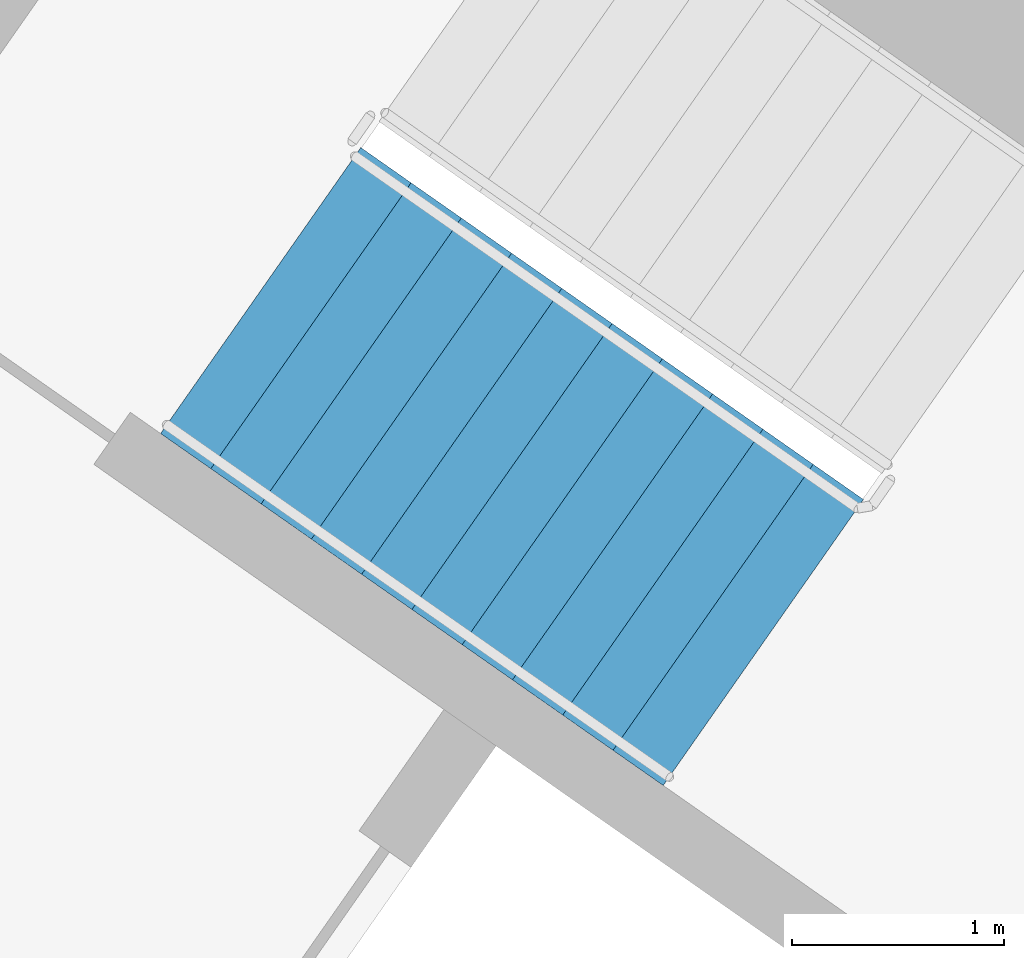
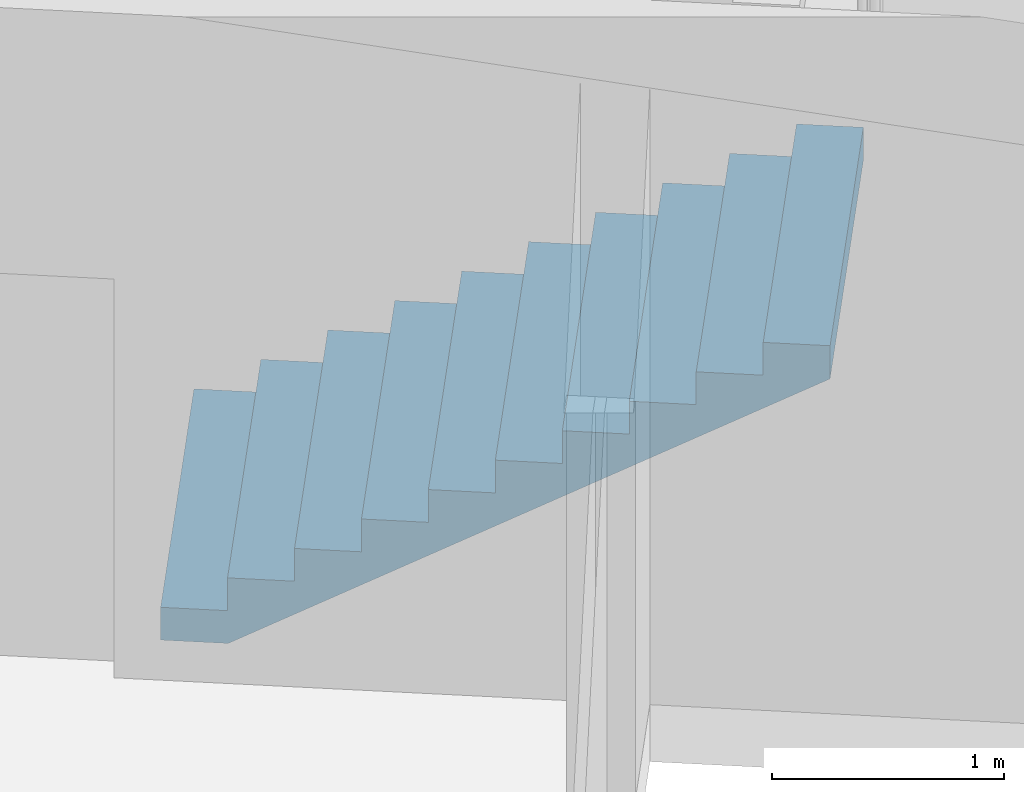
# One storey, part 12 of 31: 1 stair flight, 1 element without a shape of its own.
"""IFC4 building model written with IfcOpenShell, lengths in metres."""

import ifcopenshell
import ifcopenshell.guid

model = None  # the IFC model being written
_history = None  # IfcOwnerHistory: only IFC2X3 demands one
_inside = {}  # id of a spatial element -> (the spatial element, [elements in it])
_under = {}  # id of a project, library or spatial element -> (it, [spatial elements below it])
_declared = {}  # id of a project -> (the project, [libraries it declares])
_typed = {}  # id of a type object -> (the type object, [elements of that type])
_made_of = {}  # id of a material, layer set ... -> (it, [elements and type objects made of it])


def new_model(schema):
    """Start an empty IFC model of exactly this schema.

    Asked for "IFC4X3", IfcOpenShell would pick the latest addendum, in which some entities
    have other attributes; the version numbers below select the first issue.
    IFC2X3 requires an IfcOwnerHistory on every rooted entity: one is made here for all.
    """
    global model, _history
    if schema == "IFC4X3":
        model = ifcopenshell.file(schema_version=(4, 3, 0, 0))
    else:
        model = ifcopenshell.file(schema=schema)
    _inside.clear()
    _under.clear()
    _declared.clear()
    _typed.clear()
    _made_of.clear()
    _history = None
    if model.schema == "IFC2X3":
        org = make("IfcOrganization", Name="unknown")
        user = make(
            "IfcPersonAndOrganization",
            ThePerson=make("IfcPerson", FamilyName="unknown"),
            TheOrganization=org,
        )
        app = make(
            "IfcApplication",
            ApplicationDeveloper=org,
            Version="unknown",
            ApplicationFullName="unknown",
            ApplicationIdentifier="unknown",
        )
        _history = make(
            "IfcOwnerHistory",
            OwningUser=user,
            OwningApplication=app,
            ChangeAction="ADDED",
            CreationDate=0,
        )
    return model


def make(cls, **values):
    """One entity of the class cls with the attributes given. An attribute that is None is left unset."""
    return model.create_entity(
        cls, **{name: value for name, value in values.items() if value is not None}
    )


def rooted(cls, **values):
    """An entity with a GlobalId (a new one), such as an element, a storey or a relation."""
    return make(cls, GlobalId=ifcopenshell.guid.new(), OwnerHistory=_history, **values)


def si_unit(unit_type, name, prefix=None):
    """IfcSIUnit, for example si_unit("LENGTHUNIT", "METRE", prefix="MILLI")."""
    return make("IfcSIUnit", UnitType=unit_type, Prefix=prefix, Name=name)


def assignment(units):
    """IfcUnitAssignment: the units of a project."""
    return None if units is None else make("IfcUnitAssignment", Units=units)


def point(xyz):
    """IfcCartesianPoint."""
    return None if xyz is None else make("IfcCartesianPoint", Coordinates=xyz)


def direction(xyz):
    """IfcDirection."""
    return None if xyz is None else make("IfcDirection", DirectionRatios=xyz)


def frame(location, z_axis=None, x_axis=None):
    """IfcAxis2Placement3D, a coordinate frame: its origin and axes. An axis left out is left unset."""
    return make(
        "IfcAxis2Placement3D",
        Location=point(location),
        Axis=direction(z_axis),
        RefDirection=direction(x_axis),
    )


def origin():
    """The frame at (0, 0, 0) with its axes left unset."""
    return frame((0.0, 0.0, 0.0))


def place(relative_to, where):
    """IfcLocalPlacement: puts the frame where relative to a parent placement (None: the world)."""
    return make(
        "IfcLocalPlacement", PlacementRelTo=relative_to, RelativePlacement=where
    )


def context(
    kind, dimensions, precision=None, world=None, true_north=None, identifier=None
):
    """IfcGeometricRepresentationContext, for example the 3D "Model" context."""
    return make(
        "IfcGeometricRepresentationContext",
        ContextIdentifier=identifier,
        ContextType=kind,
        CoordinateSpaceDimension=dimensions,
        Precision=precision,
        WorldCoordinateSystem=world,
        TrueNorth=true_north,
    )


def subcontext(parent, identifier, kind, view, scale=None):
    """IfcGeometricRepresentationSubContext, for example "Body" below "Model"."""
    return make(
        "IfcGeometricRepresentationSubContext",
        ContextIdentifier=identifier,
        ContextType=kind,
        ParentContext=parent,
        TargetScale=scale,
        TargetView=view,
    )


def project(units=None, contexts=None):
    """IfcProject with its units and contexts."""
    return rooted(
        "IfcProject",
        Name="project",
        RepresentationContexts=contexts,
        UnitsInContext=assignment(units),
    )


def spatial(cls, under=None, at=None, **own):
    """A site, building, storey or space (cls), placed at a placement, below another one or the project."""
    s = rooted(cls, ObjectPlacement=at, **own)
    if under is not None:
        _under.setdefault(under.id(), (under, []))[1].append(s)
    return s


def faces_of(points, faces, orient=None, outer=None):
    """IfcFace entities. A face is a list of loops; a loop is a list of indices into points, from 0.

    orient and outer hold one flag for each loop. By default every Orientation is true, the
    first loop of a face is its IfcFaceOuterBound and the others are IfcFaceBound.
    """
    made = []
    for i, loops in enumerate(faces):
        bounds = []
        for j, loop in enumerate(loops):
            is_outer = j == 0 if outer is None else outer[i][j]
            bounds.append(
                make(
                    "IfcFaceOuterBound" if is_outer else "IfcFaceBound",
                    Bound=make("IfcPolyLoop", Polygon=[points[k] for k in loop]),
                    Orientation=True if orient is None else orient[i][j],
                )
            )
        made.append(make("IfcFace", Bounds=bounds))
    return made


def faceted_brep(points, faces, orient=None, outer=None, voids=None):
    """IfcFacetedBrep: a solid bounded by flat faces; with voids (closed shells), ...WithVoids."""
    shared = [point(p) for p in points]
    hull = make("IfcClosedShell", CfsFaces=faces_of(shared, faces, orient, outer))
    if voids is None:
        return make("IfcFacetedBrep", Outer=hull)
    return make(
        "IfcFacetedBrepWithVoids",
        Outer=hull,
        Voids=[
            make(cls, CfsFaces=faces_of(shared, fs, o, b)) for cls, fs, o, b in voids
        ],
    )


def shape(context_of_items, identifier, shape_type, items):
    """IfcShapeRepresentation: the items that make up one representation, for example the "Body"."""
    return make(
        "IfcShapeRepresentation",
        ContextOfItems=context_of_items,
        RepresentationIdentifier=identifier,
        RepresentationType=shape_type,
        Items=items,
    )


def material(Name=None, Category=None):
    """IfcMaterial."""
    return make("IfcMaterial", Name=Name, Category=Category)


def made_of(thing, what):
    """Note that an element or type object is made of a material, layer set ...; save() writes the relation."""
    if what is not None:
        _made_of.setdefault(what.id(), (what, []))[1].append(thing)
    return thing


def type_object(cls, material=None, **own):
    """A type object (cls), such as IfcWallType, which elements share."""
    return made_of(rooted(cls, **own), material)


def element(
    cls,
    number,
    at=None,
    inside=None,
    cuts=None,
    type_object=None,
    material=None,
    context=None,
    identifier="Body",
    shape_type=None,
    held_by="IfcProductDefinitionShape",
    body=None,
    shapes=None,
    **own,
):
    """One element of the class cls, such as IfcWall. Its Tag is "e" and its number.

    at: its placement. inside: the storey or other place that contains it. cuts: it is an
    opening in that element (IfcRelVoidsElement). A single representation is given by context,
    identifier, shape_type and body (its items); several are given by shapes. held_by: the class
    of the entity that holds the representations. save() writes the other relations.
    """
    e = rooted(cls, Tag="e%d" % number, ObjectPlacement=at, **own)
    if body is not None:
        shapes = [shape(context, identifier, shape_type, body)]
    if shapes is not None:
        e.Representation = make(held_by, Representations=shapes)
    if inside is not None:
        _inside.setdefault(inside.id(), (inside, []))[1].append(e)
    if cuts is not None:
        rooted(
            "IfcRelVoidsElement", RelatingBuildingElement=cuts, RelatedOpeningElement=e
        )
    if type_object is not None:
        _typed.setdefault(type_object.id(), (type_object, []))[1].append(e)
    return made_of(e, material)


def aggregate(whole, parts):
    """IfcRelAggregates: a whole, such as a stair, and the parts it consists of."""
    return rooted("IfcRelAggregates", RelatingObject=whole, RelatedObjects=parts)


def save(model, path):
    """Write the relations noted so far, then the file.

    IfcRelAggregates (storeys below a building ...), IfcRelContainedInSpatialStructure (elements
    in a storey), IfcRelDefinesByType, IfcRelAssociatesMaterial and IfcRelDeclares: one each for
    every whole, place, type object, material and project.
    """
    for whole, parts in _under.values():
        aggregate(whole, parts)
    for where, things in _inside.values():
        rooted(
            "IfcRelContainedInSpatialStructure",
            RelatedElements=things,
            RelatingStructure=where,
        )
    for kind, things in _typed.values():
        rooted("IfcRelDefinesByType", RelatedObjects=things, RelatingType=kind)
    for what, things in _made_of.values():
        rooted("IfcRelAssociatesMaterial", RelatedObjects=things, RelatingMaterial=what)
    for by, libraries in _declared.values():
        rooted("IfcRelDeclares", RelatingContext=by, RelatedDefinitions=libraries)
    model.write(path)


model = new_model("IFC4")

# Units and contexts
model_context = context("Model", 3, precision=1e-05, world=origin(), true_north=direction((0.0, 1.0)))
body_context = subcontext(model_context, "Body", "Model", "MODEL_VIEW")
ifc_project = project(units=[si_unit("LENGTHUNIT", "METRE"), si_unit("AREAUNIT", "SQUARE_METRE"), si_unit("VOLUMEUNIT", "CUBIC_METRE"), si_unit("PLANEANGLEUNIT", "RADIAN"), si_unit("MASSUNIT", "GRAM", prefix="KILO")], contexts=[model_context])

# Site, building, storey
site_placement = place(None, origin())
site = spatial("IfcSite", under=ifc_project, at=site_placement, CompositionType="ELEMENT")
building_placement = place(site_placement, origin())
building = spatial("IfcBuilding", under=site, at=building_placement, Name="Qamariyya Broadcast Tower", CompositionType="ELEMENT")
storey_placement = place(building_placement, frame((0.0, 0.0, 48.10009765625)))
storey = spatial("IfcBuildingStorey", under=building, at=storey_placement, Name="L08", CompositionType="ELEMENT", Elevation=48.10009765625)

# Stair, stair flight
ifc_material = material(Name="Concrete C50/60", Category="concrete")
stair_type = type_object("IfcStairType", Name="Exit stair 22 risers of 173 mm", PredefinedType="HALF_TURN_STAIR", material=ifc_material)
stair_placement = place(storey_placement, origin())
stair = element("IfcStair", 1, at=stair_placement, inside=storey, type_object=stair_type, Name="L08 Stair W2", PredefinedType="HALF_TURN_STAIR")
stair_flight_type = type_object("IfcStairFlightType", Name="Exit stair flight 11 risers of 173 mm", PredefinedType="STRAIGHT", material=ifc_material)
stair_flight_placement = place(storey_placement, frame((-41.59130859375, -49.15966796875, 0.0), z_axis=(0.0, 0.0, 1.0), x_axis=(0.819152044289, -0.573576436351, 0.0)))
stair_flight = element("IfcStairFlight", 2, at=stair_flight_placement, type_object=stair_flight_type, Name="ST-W2 flight 1", NumberOfRisers=11, NumberOfTreads=10, PredefinedType="STRAIGHT", RiserHeight=0.172727273, TreadLength=0.29, context=body_context, shape_type="Brep", body=[
    faceted_brep([(0.0, 0.824951171875, 0.0), (0.0, 0.824951171875, 0.172607421875), (0.2900390625, 0.824951171875, 0.172607421875), (0.2900390625, 0.824951171875, 0.345458984375), (0.580078125, 0.824951171875, 0.345458984375), (0.580078125, 0.824951171875, 0.51806640625), (0.8701171875, 0.824951171875, 0.51806640625), (0.8701171875, 0.824951171875, 0.69091796875), (1.159912109375, 0.824951171875, 0.69091796875), (1.159912109375, 0.824951171875, 0.863525390625), (1.449951171875, 0.824951171875, 0.863525390625), (1.449951171875, 0.824951171875, 1.036376953125), (1.739990234375, 0.824951171875, 1.036376953125), (1.739990234375, 0.824951171875, 1.208984375), (2.030029296875, 0.824951171875, 1.208984375), (2.030029296875, 0.824951171875, 1.3818359375), (2.320068359375, 0.824951171875, 1.3818359375), (2.320068359375, 0.824951171875, 1.554443359375), (2.610107421875, 0.824951171875, 1.554443359375), (2.610107421875, 0.824951171875, 1.727294921875), (2.89990234375, 0.824951171875, 1.727294921875), (2.89990234375, 0.824951171875, 1.552734375), (0.29296875, 0.824951171875, 0.0), (0.29296875, -0.824951171875, 0.0), (2.89990234375, -0.824951171875, 1.552734375), (2.89990234375, -0.824951171875, 1.727294921875), (2.610107421875, -0.824951171875, 1.727294921875), (2.610107421875, -0.824951171875, 1.554443359375), (2.320068359375, -0.824951171875, 1.554443359375), (2.320068359375, -0.824951171875, 1.3818359375), (2.030029296875, -0.824951171875, 1.3818359375), (2.030029296875, -0.824951171875, 1.208984375), (1.739990234375, -0.824951171875, 1.208984375), (1.739990234375, -0.824951171875, 1.036376953125), (1.449951171875, -0.824951171875, 1.036376953125), (1.449951171875, -0.824951171875, 0.863525390625), (1.159912109375, -0.824951171875, 0.863525390625), (1.159912109375, -0.824951171875, 0.69091796875), (0.8701171875, -0.824951171875, 0.69091796875), (0.8701171875, -0.824951171875, 0.51806640625), (0.580078125, -0.824951171875, 0.51806640625), (0.580078125, -0.824951171875, 0.345458984375), (0.2900390625, -0.824951171875, 0.345458984375), (0.2900390625, -0.824951171875, 0.172607421875), (0.0, -0.824951171875, 0.172607421875), (0.0, -0.824951171875, 0.0), (0.0, 0.10009765625, 0.0), (0.0, 0.086669921875, 0.0), (0.0, 0.0732421875, 0.0), (0.0, 0.06005859375, 0.0), (0.0, 0.046630859375, 0.0), (0.0, 0.033447265625, 0.0), (0.0, 0.02001953125, 0.0), (0.0, 0.006591796875, 0.0), (0.0, -0.006591796875, 0.0), (0.0, -0.02001953125, 0.0), (0.0, -0.033447265625, 0.0), (0.0, -0.046630859375, 0.0), (0.0, -0.06005859375, 0.0), (0.0, -0.0732421875, 0.0), (0.0, -0.086669921875, 0.0), (0.0, -0.10009765625, 0.0), (0.0, -0.10009765625, 0.172607421875), (0.0, -0.086669921875, 0.172607421875), (0.0, -0.0732421875, 0.172607421875), (0.0, -0.06005859375, 0.172607421875), (0.0, -0.046630859375, 0.172607421875), (0.0, -0.033447265625, 0.172607421875), (0.0, -0.02001953125, 0.172607421875), (0.0, -0.006591796875, 0.172607421875), (0.0, 0.006591796875, 0.172607421875), (0.0, 0.02001953125, 0.172607421875), (0.0, 0.033447265625, 0.172607421875), (0.0, 0.046630859375, 0.172607421875), (0.0, 0.06005859375, 0.172607421875), (0.0, 0.0732421875, 0.172607421875), (0.0, 0.086669921875, 0.172607421875), (0.0, 0.10009765625, 0.172607421875), (0.2900390625, -0.10009765625, 0.172607421875), (0.2900390625, -0.086669921875, 0.172607421875), (0.2900390625, -0.0732421875, 0.172607421875), (0.2900390625, -0.06005859375, 0.172607421875), (0.2900390625, -0.046630859375, 0.172607421875), (0.2900390625, -0.033447265625, 0.172607421875), (0.2900390625, -0.02001953125, 0.172607421875), (0.2900390625, -0.006591796875, 0.172607421875), (0.2900390625, 0.006591796875, 0.172607421875), (0.2900390625, 0.02001953125, 0.172607421875), (0.2900390625, 0.033447265625, 0.172607421875), (0.2900390625, 0.046630859375, 0.172607421875), (0.2900390625, 0.06005859375, 0.172607421875), (0.2900390625, 0.0732421875, 0.172607421875), (0.2900390625, 0.086669921875, 0.172607421875), (0.2900390625, 0.10009765625, 0.172607421875), (0.2900390625, -0.10009765625, 0.345458984375), (0.2900390625, -0.086669921875, 0.345458984375), (0.2900390625, -0.0732421875, 0.345458984375), (0.2900390625, -0.06005859375, 0.345458984375), (0.2900390625, -0.046630859375, 0.345458984375), (0.2900390625, -0.033447265625, 0.345458984375), (0.2900390625, -0.02001953125, 0.345458984375), (0.2900390625, -0.006591796875, 0.345458984375), (0.2900390625, 0.006591796875, 0.345458984375), (0.2900390625, 0.02001953125, 0.345458984375), (0.2900390625, 0.033447265625, 0.345458984375), (0.2900390625, 0.046630859375, 0.345458984375), (0.2900390625, 0.06005859375, 0.345458984375), (0.2900390625, 0.0732421875, 0.345458984375), (0.2900390625, 0.086669921875, 0.345458984375), (0.2900390625, 0.10009765625, 0.345458984375), (0.580078125, -0.10009765625, 0.345458984375), (0.580078125, -0.086669921875, 0.345458984375), (0.580078125, -0.0732421875, 0.345458984375), (0.580078125, -0.06005859375, 0.345458984375), (0.580078125, -0.046630859375, 0.345458984375), (0.580078125, -0.033447265625, 0.345458984375), (0.580078125, -0.02001953125, 0.345458984375), (0.580078125, -0.006591796875, 0.345458984375), (0.580078125, 0.006591796875, 0.345458984375), (0.580078125, 0.02001953125, 0.345458984375), (0.580078125, 0.033447265625, 0.345458984375), (0.580078125, 0.046630859375, 0.345458984375), (0.580078125, 0.06005859375, 0.345458984375), (0.580078125, 0.0732421875, 0.345458984375), (0.580078125, 0.086669921875, 0.345458984375), (0.580078125, 0.10009765625, 0.345458984375), (0.580078125, -0.10009765625, 0.51806640625), (0.580078125, -0.086669921875, 0.51806640625), (0.580078125, -0.0732421875, 0.51806640625), (0.580078125, -0.06005859375, 0.51806640625), (0.580078125, -0.046630859375, 0.51806640625), (0.580078125, -0.033447265625, 0.51806640625), (0.580078125, -0.02001953125, 0.51806640625), (0.580078125, -0.006591796875, 0.51806640625), (0.580078125, 0.006591796875, 0.51806640625), (0.580078125, 0.02001953125, 0.51806640625), (0.580078125, 0.033447265625, 0.51806640625), (0.580078125, 0.046630859375, 0.51806640625), (0.580078125, 0.06005859375, 0.51806640625), (0.580078125, 0.0732421875, 0.51806640625), (0.580078125, 0.086669921875, 0.51806640625), (0.580078125, 0.10009765625, 0.51806640625), (0.8701171875, -0.10009765625, 0.51806640625), (0.8701171875, -0.086669921875, 0.51806640625), (0.8701171875, -0.0732421875, 0.51806640625), (0.8701171875, -0.06005859375, 0.51806640625), (0.8701171875, -0.046630859375, 0.51806640625), (0.8701171875, -0.033447265625, 0.51806640625), (0.8701171875, -0.02001953125, 0.51806640625), (0.8701171875, -0.006591796875, 0.51806640625), (0.8701171875, 0.006591796875, 0.51806640625), (0.8701171875, 0.02001953125, 0.51806640625), (0.8701171875, 0.033447265625, 0.51806640625), (0.8701171875, 0.046630859375, 0.51806640625), (0.8701171875, 0.06005859375, 0.51806640625), (0.8701171875, 0.0732421875, 0.51806640625), (0.8701171875, 0.086669921875, 0.51806640625), (0.8701171875, 0.10009765625, 0.51806640625), (0.8701171875, -0.10009765625, 0.69091796875), (0.8701171875, -0.086669921875, 0.69091796875), (0.8701171875, -0.0732421875, 0.69091796875), (0.8701171875, -0.06005859375, 0.69091796875), (0.8701171875, -0.046630859375, 0.69091796875), (0.8701171875, -0.033447265625, 0.69091796875), (0.8701171875, -0.02001953125, 0.69091796875), (0.8701171875, -0.006591796875, 0.69091796875), (0.8701171875, 0.006591796875, 0.69091796875), (0.8701171875, 0.02001953125, 0.69091796875), (0.8701171875, 0.033447265625, 0.69091796875), (0.8701171875, 0.046630859375, 0.69091796875), (0.8701171875, 0.06005859375, 0.69091796875), (0.8701171875, 0.0732421875, 0.69091796875), (0.8701171875, 0.086669921875, 0.69091796875), (0.8701171875, 0.10009765625, 0.69091796875), (1.159912109375, -0.10009765625, 0.69091796875), (1.159912109375, -0.086669921875, 0.69091796875), (1.159912109375, -0.0732421875, 0.69091796875), (1.159912109375, -0.06005859375, 0.69091796875), (1.159912109375, -0.046630859375, 0.69091796875), (1.159912109375, -0.033447265625, 0.69091796875), (1.159912109375, -0.02001953125, 0.69091796875), (1.159912109375, -0.006591796875, 0.69091796875), (1.159912109375, 0.006591796875, 0.69091796875), (1.159912109375, 0.02001953125, 0.69091796875), (1.159912109375, 0.033447265625, 0.69091796875), (1.159912109375, 0.046630859375, 0.69091796875), (1.159912109375, 0.06005859375, 0.69091796875), (1.159912109375, 0.0732421875, 0.69091796875), (1.159912109375, 0.086669921875, 0.69091796875), (1.159912109375, 0.10009765625, 0.69091796875), (1.159912109375, -0.10009765625, 0.863525390625), (1.159912109375, -0.086669921875, 0.863525390625), (1.159912109375, -0.0732421875, 0.863525390625), (1.159912109375, -0.06005859375, 0.863525390625), (1.159912109375, -0.046630859375, 0.863525390625), (1.159912109375, -0.033447265625, 0.863525390625), (1.159912109375, -0.02001953125, 0.863525390625), (1.159912109375, -0.006591796875, 0.863525390625), (1.159912109375, 0.006591796875, 0.863525390625), (1.159912109375, 0.02001953125, 0.863525390625), (1.159912109375, 0.033447265625, 0.863525390625), (1.159912109375, 0.046630859375, 0.863525390625), (1.159912109375, 0.06005859375, 0.863525390625), (1.159912109375, 0.0732421875, 0.863525390625), (1.159912109375, 0.086669921875, 0.863525390625), (1.159912109375, 0.10009765625, 0.863525390625), (1.449951171875, -0.10009765625, 0.863525390625), (1.449951171875, -0.086669921875, 0.863525390625), (1.449951171875, -0.0732421875, 0.863525390625), (1.449951171875, -0.06005859375, 0.863525390625), (1.449951171875, -0.046630859375, 0.863525390625), (1.449951171875, -0.033447265625, 0.863525390625), (1.449951171875, -0.02001953125, 0.863525390625), (1.449951171875, -0.006591796875, 0.863525390625), (1.449951171875, 0.006591796875, 0.863525390625), (1.449951171875, 0.02001953125, 0.863525390625), (1.449951171875, 0.033447265625, 0.863525390625), (1.449951171875, 0.046630859375, 0.863525390625), (1.449951171875, 0.06005859375, 0.863525390625), (1.449951171875, 0.0732421875, 0.863525390625), (1.449951171875, 0.086669921875, 0.863525390625), (1.449951171875, 0.10009765625, 0.863525390625), (1.449951171875, -0.10009765625, 1.036376953125), (1.449951171875, -0.086669921875, 1.036376953125), (1.449951171875, -0.0732421875, 1.036376953125), (1.449951171875, -0.06005859375, 1.036376953125), (1.449951171875, -0.046630859375, 1.036376953125), (1.449951171875, -0.033447265625, 1.036376953125), (1.449951171875, -0.02001953125, 1.036376953125), (1.449951171875, -0.006591796875, 1.036376953125), (1.449951171875, 0.006591796875, 1.036376953125), (1.449951171875, 0.02001953125, 1.036376953125), (1.449951171875, 0.033447265625, 1.036376953125), (1.449951171875, 0.046630859375, 1.036376953125), (1.449951171875, 0.06005859375, 1.036376953125), (1.449951171875, 0.0732421875, 1.036376953125), (1.449951171875, 0.086669921875, 1.036376953125), (1.449951171875, 0.10009765625, 1.036376953125), (1.739990234375, -0.10009765625, 1.036376953125), (1.739990234375, -0.086669921875, 1.036376953125), (1.739990234375, -0.0732421875, 1.036376953125), (1.739990234375, -0.06005859375, 1.036376953125), (1.739990234375, -0.046630859375, 1.036376953125), (1.739990234375, -0.033447265625, 1.036376953125), (1.739990234375, -0.02001953125, 1.036376953125), (1.739990234375, -0.006591796875, 1.036376953125), (1.739990234375, 0.006591796875, 1.036376953125), (1.739990234375, 0.02001953125, 1.036376953125), (1.739990234375, 0.033447265625, 1.036376953125), (1.739990234375, 0.046630859375, 1.036376953125), (1.739990234375, 0.06005859375, 1.036376953125), (1.739990234375, 0.0732421875, 1.036376953125), (1.739990234375, 0.086669921875, 1.036376953125), (1.739990234375, 0.10009765625, 1.036376953125), (1.739990234375, -0.10009765625, 1.208984375), (1.739990234375, -0.086669921875, 1.208984375), (1.739990234375, -0.0732421875, 1.208984375), (1.739990234375, -0.06005859375, 1.208984375), (1.739990234375, -0.046630859375, 1.208984375), (1.739990234375, -0.033447265625, 1.208984375), (1.739990234375, -0.02001953125, 1.208984375), (1.739990234375, -0.006591796875, 1.208984375), (1.739990234375, 0.006591796875, 1.208984375), (1.739990234375, 0.02001953125, 1.208984375), (1.739990234375, 0.033447265625, 1.208984375), (1.739990234375, 0.046630859375, 1.208984375), (1.739990234375, 0.06005859375, 1.208984375), (1.739990234375, 0.0732421875, 1.208984375), (1.739990234375, 0.086669921875, 1.208984375), (1.739990234375, 0.10009765625, 1.208984375), (2.030029296875, -0.10009765625, 1.208984375), (2.030029296875, -0.086669921875, 1.208984375), (2.030029296875, -0.0732421875, 1.208984375), (2.030029296875, -0.06005859375, 1.208984375), (2.030029296875, -0.046630859375, 1.208984375), (2.030029296875, -0.033447265625, 1.208984375), (2.030029296875, -0.02001953125, 1.208984375), (2.030029296875, -0.006591796875, 1.208984375), (2.030029296875, 0.006591796875, 1.208984375), (2.030029296875, 0.02001953125, 1.208984375), (2.030029296875, 0.033447265625, 1.208984375), (2.030029296875, 0.046630859375, 1.208984375), (2.030029296875, 0.06005859375, 1.208984375), (2.030029296875, 0.0732421875, 1.208984375), (2.030029296875, 0.086669921875, 1.208984375), (2.030029296875, 0.10009765625, 1.208984375), (2.030029296875, -0.10009765625, 1.3818359375), (2.030029296875, -0.086669921875, 1.3818359375), (2.030029296875, -0.0732421875, 1.3818359375), (2.030029296875, -0.06005859375, 1.3818359375), (2.030029296875, -0.046630859375, 1.3818359375), (2.030029296875, -0.033447265625, 1.3818359375), (2.030029296875, -0.02001953125, 1.3818359375), (2.030029296875, -0.006591796875, 1.3818359375), (2.030029296875, 0.006591796875, 1.3818359375), (2.030029296875, 0.02001953125, 1.3818359375), (2.030029296875, 0.033447265625, 1.3818359375), (2.030029296875, 0.046630859375, 1.3818359375), (2.030029296875, 0.06005859375, 1.3818359375), (2.030029296875, 0.0732421875, 1.3818359375), (2.030029296875, 0.086669921875, 1.3818359375), (2.030029296875, 0.10009765625, 1.3818359375), (2.320068359375, -0.10009765625, 1.3818359375), (2.320068359375, -0.086669921875, 1.3818359375), (2.320068359375, -0.0732421875, 1.3818359375), (2.320068359375, -0.06005859375, 1.3818359375), (2.320068359375, -0.046630859375, 1.3818359375), (2.320068359375, -0.033447265625, 1.3818359375), (2.320068359375, -0.02001953125, 1.3818359375), (2.320068359375, -0.006591796875, 1.3818359375), (2.320068359375, 0.006591796875, 1.3818359375), (2.320068359375, 0.02001953125, 1.3818359375), (2.320068359375, 0.033447265625, 1.3818359375), (2.320068359375, 0.046630859375, 1.3818359375), (2.320068359375, 0.06005859375, 1.3818359375), (2.320068359375, 0.0732421875, 1.3818359375), (2.320068359375, 0.086669921875, 1.3818359375), (2.320068359375, 0.10009765625, 1.3818359375), (2.320068359375, -0.10009765625, 1.554443359375), (2.320068359375, -0.086669921875, 1.554443359375), (2.320068359375, -0.0732421875, 1.554443359375), (2.320068359375, -0.06005859375, 1.554443359375), (2.320068359375, -0.046630859375, 1.554443359375), (2.320068359375, -0.033447265625, 1.554443359375), (2.320068359375, -0.02001953125, 1.554443359375), (2.320068359375, -0.006591796875, 1.554443359375), (2.320068359375, 0.006591796875, 1.554443359375), (2.320068359375, 0.02001953125, 1.554443359375), (2.320068359375, 0.033447265625, 1.554443359375), (2.320068359375, 0.046630859375, 1.554443359375), (2.320068359375, 0.06005859375, 1.554443359375), (2.320068359375, 0.0732421875, 1.554443359375), (2.320068359375, 0.086669921875, 1.554443359375), (2.320068359375, 0.10009765625, 1.554443359375), (2.610107421875, -0.10009765625, 1.554443359375), (2.610107421875, -0.086669921875, 1.554443359375), (2.610107421875, -0.0732421875, 1.554443359375), (2.610107421875, -0.06005859375, 1.554443359375), (2.610107421875, -0.046630859375, 1.554443359375), (2.610107421875, -0.033447265625, 1.554443359375), (2.610107421875, -0.02001953125, 1.554443359375), (2.610107421875, -0.006591796875, 1.554443359375), (2.610107421875, 0.006591796875, 1.554443359375), (2.610107421875, 0.02001953125, 1.554443359375), (2.610107421875, 0.033447265625, 1.554443359375), (2.610107421875, 0.046630859375, 1.554443359375), (2.610107421875, 0.06005859375, 1.554443359375), (2.610107421875, 0.0732421875, 1.554443359375), (2.610107421875, 0.086669921875, 1.554443359375), (2.610107421875, 0.10009765625, 1.554443359375), (2.610107421875, -0.10009765625, 1.727294921875), (2.610107421875, -0.086669921875, 1.727294921875), (2.610107421875, -0.0732421875, 1.727294921875), (2.610107421875, -0.06005859375, 1.727294921875), (2.610107421875, -0.046630859375, 1.727294921875), (2.610107421875, -0.033447265625, 1.727294921875), (2.610107421875, -0.02001953125, 1.727294921875), (2.610107421875, -0.006591796875, 1.727294921875), (2.610107421875, 0.006591796875, 1.727294921875), (2.610107421875, 0.02001953125, 1.727294921875), (2.610107421875, 0.033447265625, 1.727294921875), (2.610107421875, 0.046630859375, 1.727294921875), (2.610107421875, 0.06005859375, 1.727294921875), (2.610107421875, 0.0732421875, 1.727294921875), (2.610107421875, 0.086669921875, 1.727294921875), (2.610107421875, 0.10009765625, 1.727294921875), (2.89990234375, -0.10009765625, 1.727294921875), (2.89990234375, -0.086669921875, 1.727294921875), (2.89990234375, -0.0732421875, 1.727294921875), (2.89990234375, -0.06005859375, 1.727294921875), (2.89990234375, -0.046630859375, 1.727294921875), (2.89990234375, -0.033447265625, 1.727294921875), (2.89990234375, -0.02001953125, 1.727294921875), (2.89990234375, -0.006591796875, 1.727294921875), (2.89990234375, 0.006591796875, 1.727294921875), (2.89990234375, 0.02001953125, 1.727294921875), (2.89990234375, 0.033447265625, 1.727294921875), (2.89990234375, 0.046630859375, 1.727294921875), (2.89990234375, 0.06005859375, 1.727294921875), (2.89990234375, 0.0732421875, 1.727294921875), (2.89990234375, 0.086669921875, 1.727294921875), (2.89990234375, 0.10009765625, 1.727294921875), (2.89990234375, -0.10009765625, 1.552734375), (2.89990234375, -0.086669921875, 1.552734375), (2.89990234375, -0.0732421875, 1.552734375), (2.89990234375, -0.06005859375, 1.552734375), (2.89990234375, -0.046630859375, 1.552734375), (2.89990234375, -0.033447265625, 1.552734375), (2.89990234375, -0.02001953125, 1.552734375), (2.89990234375, -0.006591796875, 1.552734375), (2.89990234375, 0.006591796875, 1.552734375), (2.89990234375, 0.02001953125, 1.552734375), (2.89990234375, 0.033447265625, 1.552734375), (2.89990234375, 0.046630859375, 1.552734375), (2.89990234375, 0.06005859375, 1.552734375), (2.89990234375, 0.0732421875, 1.552734375), (2.89990234375, 0.086669921875, 1.552734375), (2.89990234375, 0.10009765625, 1.552734375), (0.29296875, -0.10009765625, 0.0), (0.29296875, -0.086669921875, 0.0), (0.29296875, -0.0732421875, 0.0), (0.29296875, -0.06005859375, 0.0), (0.29296875, -0.046630859375, 0.0), (0.29296875, -0.033447265625, 0.0), (0.29296875, -0.02001953125, 0.0), (0.29296875, -0.006591796875, 0.0), (0.29296875, 0.006591796875, 0.0), (0.29296875, 0.02001953125, 0.0), (0.29296875, 0.033447265625, 0.0), (0.29296875, 0.046630859375, 0.0), (0.29296875, 0.06005859375, 0.0), (0.29296875, 0.0732421875, 0.0), (0.29296875, 0.086669921875, 0.0), (0.29296875, 0.10009765625, 0.0)], [[[0, 1, 2, 3, 4, 5, 6, 7, 8, 9, 10, 11, 12, 13, 14, 15, 16, 17, 18, 19, 20, 21, 22]], [[23, 24, 25, 26, 27, 28, 29, 30, 31, 32, 33, 34, 35, 36, 37, 38, 39, 40, 41, 42, 43, 44, 45]], [[0, 46, 47, 48, 49, 50, 51, 52, 53, 54, 55, 56, 57, 58, 59, 60, 61, 45, 44, 62, 63, 64, 65, 66, 67, 68, 69, 70, 71, 72, 73, 74, 75, 76, 77, 1]], [[1, 77, 76, 75, 74, 73, 72, 71, 70, 69, 68, 67, 66, 65, 64, 63, 62, 44, 43, 78, 79, 80, 81, 82, 83, 84, 85, 86, 87, 88, 89, 90, 91, 92, 93, 2]], [[2, 93, 92, 91, 90, 89, 88, 87, 86, 85, 84, 83, 82, 81, 80, 79, 78, 43, 42, 94, 95, 96, 97, 98, 99, 100, 101, 102, 103, 104, 105, 106, 107, 108, 109, 3]], [[3, 109, 108, 107, 106, 105, 104, 103, 102, 101, 100, 99, 98, 97, 96, 95, 94, 42, 41, 110, 111, 112, 113, 114, 115, 116, 117, 118, 119, 120, 121, 122, 123, 124, 125, 4]], [[4, 125, 124, 123, 122, 121, 120, 119, 118, 117, 116, 115, 114, 113, 112, 111, 110, 41, 40, 126, 127, 128, 129, 130, 131, 132, 133, 134, 135, 136, 137, 138, 139, 140, 141, 5]], [[5, 141, 140, 139, 138, 137, 136, 135, 134, 133, 132, 131, 130, 129, 128, 127, 126, 40, 39, 142, 143, 144, 145, 146, 147, 148, 149, 150, 151, 152, 153, 154, 155, 156, 157, 6]], [[6, 157, 156, 155, 154, 153, 152, 151, 150, 149, 148, 147, 146, 145, 144, 143, 142, 39, 38, 158, 159, 160, 161, 162, 163, 164, 165, 166, 167, 168, 169, 170, 171, 172, 173, 7]], [[7, 173, 172, 171, 170, 169, 168, 167, 166, 165, 164, 163, 162, 161, 160, 159, 158, 38, 37, 174, 175, 176, 177, 178, 179, 180, 181, 182, 183, 184, 185, 186, 187, 188, 189, 8]], [[8, 189, 188, 187, 186, 185, 184, 183, 182, 181, 180, 179, 178, 177, 176, 175, 174, 37, 36, 190, 191, 192, 193, 194, 195, 196, 197, 198, 199, 200, 201, 202, 203, 204, 205, 9]], [[9, 205, 204, 203, 202, 201, 200, 199, 198, 197, 196, 195, 194, 193, 192, 191, 190, 36, 35, 206, 207, 208, 209, 210, 211, 212, 213, 214, 215, 216, 217, 218, 219, 220, 221, 10]], [[10, 221, 220, 219, 218, 217, 216, 215, 214, 213, 212, 211, 210, 209, 208, 207, 206, 35, 34, 222, 223, 224, 225, 226, 227, 228, 229, 230, 231, 232, 233, 234, 235, 236, 237, 11]], [[11, 237, 236, 235, 234, 233, 232, 231, 230, 229, 228, 227, 226, 225, 224, 223, 222, 34, 33, 238, 239, 240, 241, 242, 243, 244, 245, 246, 247, 248, 249, 250, 251, 252, 253, 12]], [[12, 253, 252, 251, 250, 249, 248, 247, 246, 245, 244, 243, 242, 241, 240, 239, 238, 33, 32, 254, 255, 256, 257, 258, 259, 260, 261, 262, 263, 264, 265, 266, 267, 268, 269, 13]], [[13, 269, 268, 267, 266, 265, 264, 263, 262, 261, 260, 259, 258, 257, 256, 255, 254, 32, 31, 270, 271, 272, 273, 274, 275, 276, 277, 278, 279, 280, 281, 282, 283, 284, 285, 14]], [[14, 285, 284, 283, 282, 281, 280, 279, 278, 277, 276, 275, 274, 273, 272, 271, 270, 31, 30, 286, 287, 288, 289, 290, 291, 292, 293, 294, 295, 296, 297, 298, 299, 300, 301, 15]], [[15, 301, 300, 299, 298, 297, 296, 295, 294, 293, 292, 291, 290, 289, 288, 287, 286, 30, 29, 302, 303, 304, 305, 306, 307, 308, 309, 310, 311, 312, 313, 314, 315, 316, 317, 16]], [[16, 317, 316, 315, 314, 313, 312, 311, 310, 309, 308, 307, 306, 305, 304, 303, 302, 29, 28, 318, 319, 320, 321, 322, 323, 324, 325, 326, 327, 328, 329, 330, 331, 332, 333, 17]], [[17, 333, 332, 331, 330, 329, 328, 327, 326, 325, 324, 323, 322, 321, 320, 319, 318, 28, 27, 334, 335, 336, 337, 338, 339, 340, 341, 342, 343, 344, 345, 346, 347, 348, 349, 18]], [[18, 349, 348, 347, 346, 345, 344, 343, 342, 341, 340, 339, 338, 337, 336, 335, 334, 27, 26, 350, 351, 352, 353, 354, 355, 356, 357, 358, 359, 360, 361, 362, 363, 364, 365, 19]], [[19, 365, 364, 363, 362, 361, 360, 359, 358, 357, 356, 355, 354, 353, 352, 351, 350, 26, 25, 366, 367, 368, 369, 370, 371, 372, 373, 374, 375, 376, 377, 378, 379, 380, 381, 20]], [[20, 381, 380, 379, 378, 377, 376, 375, 374, 373, 372, 371, 370, 369, 368, 367, 366, 25, 24, 382, 383, 384, 385, 386, 387, 388, 389, 390, 391, 392, 393, 394, 395, 396, 397, 21]], [[21, 397, 396, 395, 394, 393, 392, 391, 390, 389, 388, 387, 386, 385, 384, 383, 382, 24, 23, 398, 399, 400, 401, 402, 403, 404, 405, 406, 407, 408, 409, 410, 411, 412, 413, 22]], [[22, 413, 412, 411, 410, 409, 408, 407, 406, 405, 404, 403, 402, 401, 400, 399, 398, 23, 45, 61, 60, 59, 58, 57, 56, 55, 54, 53, 52, 51, 50, 49, 48, 47, 46, 0]]]),
])
aggregate(stair, [stair_flight])

save(model, "model.ifc")
